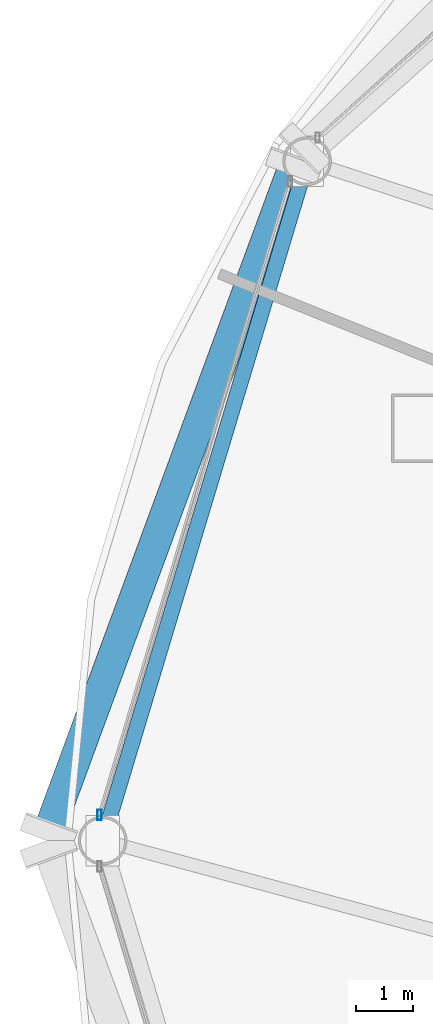
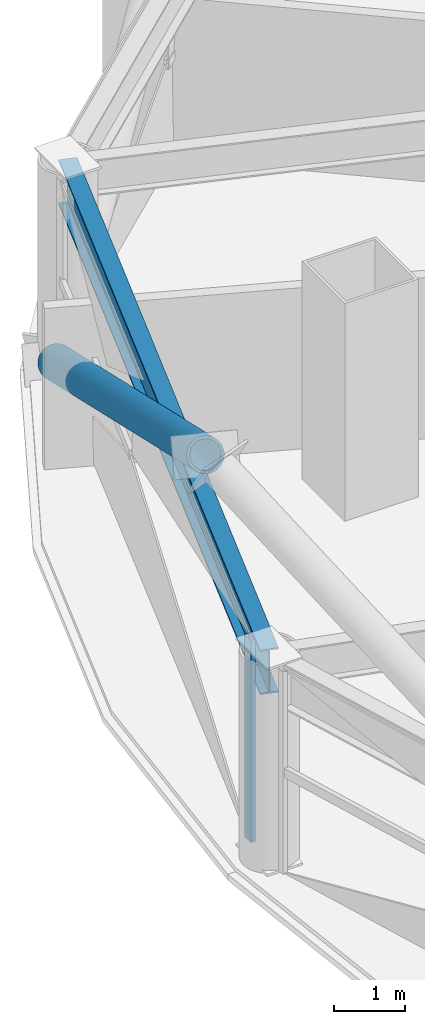
# One storey, part 8 of 30: 2 members, 1 beam, 1 element without a shape of its own.
"""IFC4 building model written with IfcOpenShell, lengths in metres."""

from ifc_helpers import new_model, si_unit, direction, frame, origin, origin_2d, place, context, subcontext, project, spatial, hollow_rectangle, hollow_circle, i_section, extrude, material, layer, layer_set, material_profile, profile_set, type_object, element, aggregate, save


model = new_model("IFC4")

# Units and contexts
model_context = context("Model", 3, precision=1e-05, world=origin(), true_north=direction((0.0, 1.0)))
body_context = subcontext(model_context, "Body", "Model", "MODEL_VIEW")
ifc_project = project(units=[si_unit("LENGTHUNIT", "METRE"), si_unit("AREAUNIT", "SQUARE_METRE"), si_unit("VOLUMEUNIT", "CUBIC_METRE"), si_unit("PLANEANGLEUNIT", "RADIAN"), si_unit("MASSUNIT", "GRAM", prefix="KILO")], contexts=[model_context])

# Site, building, storey
site_placement = place(None, origin())
site = spatial("IfcSite", under=ifc_project, at=site_placement, CompositionType="ELEMENT")
building_placement = place(site_placement, origin())
building = spatial("IfcBuilding", under=site, at=building_placement, Name="Vantalir Tower", CompositionType="ELEMENT")
storey_placement = place(building_placement, frame((0.0, 0.0, 49.5)))
storey = spatial("IfcBuildingStorey", under=building, at=storey_placement, Name="L11", CompositionType="ELEMENT", Elevation=49.5)

# Beam
ifc_material_1 = material(Name="Steel S460", Category="steel")
ifc_material_profile_1 = material_profile(ifc_material_1, i_section(OverallWidth=0.26806640625, OverallDepth=0.77001953125, WebThickness=0.015625, FlangeThickness=0.025390625, at=origin_2d()), Name="Steel S460")
ifc_profile_set_1 = profile_set([ifc_material_profile_1], Name="Steel S460")
beam_type = type_object("IfcBeamType", Name="BM-RG-762x267", PredefinedType="USERDEFINED", material=ifc_profile_set_1)
beam_placement = place(storey_placement, frame((8.429931640625, 36.863037109375, 3.18505859375), z_axis=(-0.288083666515, -0.957605242826, 0.0), x_axis=(0.957605242826, -0.288083666515, 0.0)))
element("IfcBeam", 1, at=beam_placement, inside=storey, type_object=beam_type, Name="L11 Circumferential Ring Girder 06", ObjectType="GIRDER", PredefinedType="USERDEFINED", context=body_context, shape_type="SweptSolid", body=[
    extrude(i_section(OverallWidth=0.26806640625, OverallDepth=0.77001953125, WebThickness=0.015625, FlangeThickness=0.025390625, at=origin_2d()), origin(), (0.0, 0.0, 1.0), 12.38818359375),
])

# Curtain wall, member
ifc_material_2 = material(Name="Champagne-silver PVDF aluminium and double-silver Low-E glass", Category="aluminium")
ifc_layer = layer(ifc_material_2, 0.18994140625)
ifc_layer_set = layer_set([ifc_layer], Name="Champagne-silver PVDF aluminium and double-silver Low-E glass")
curtain_wall_type = type_object("IfcCurtainWallType", Name="CW-DIAMOND-Z1", PredefinedType="USERDEFINED", material=ifc_layer_set)
curtain_wall_placement = place(storey_placement, origin())
curtain_wall = element("IfcCurtainWall", 2, at=curtain_wall_placement, inside=storey, type_object=curtain_wall_type, Name="L11 Quilted Pyramid-Diamond Curtain Wall S06", ObjectType="UNITISED CURTAIN WALL", PredefinedType="USERDEFINED")
ifc_material_3 = material(Name="Champagne-silver PVDF aluminium 6063-T6", Category="aluminium")
ifc_material_profile_2 = material_profile(ifc_material_3, hollow_rectangle(XDim=0.074951171875, YDim=0.179931640625, WallThickness=0.00390625, at=origin_2d()), Name="Champagne-silver PVDF aluminium 6063-T6")
ifc_profile_set_2 = profile_set([ifc_material_profile_2], Name="Champagne-silver PVDF aluminium 6063-T6")
member_type_1 = type_object("IfcMemberType", Name="CWM-180x75", PredefinedType="MULLION", material=ifc_profile_set_2)
member_1_placement = place(storey_placement, frame((4.805908203125, 25.449951171875, 0.044921875), z_axis=(0.0, 0.0, 1.0), x_axis=(1.0, 0.0, 0.0)))
member_1 = element("IfcMember", 3, at=member_1_placement, type_object=member_type_1, Name="CW-L11-S06 Mullion 2", PredefinedType="MULLION", context=body_context, shape_type="SweptSolid", body=[
    extrude(hollow_rectangle(XDim=0.074951171875, YDim=0.179931640625, WallThickness=0.00390625, at=origin_2d()), origin(), (0.0, 0.0, 1.0), 3.47998046875),
])
aggregate(curtain_wall, [member_1])

# Member
ifc_material_profile_3 = material_profile(ifc_material_1, hollow_circle(Radius=0.27001953125, WallThickness=0.044921875, at=origin_2d()), Name="Steel S460")
ifc_profile_set_3 = profile_set([ifc_material_profile_3], Name="Steel S460")
member_type_2 = type_object("IfcMemberType", Name="MEM-DB-540x45", PredefinedType="BRACE", material=ifc_profile_set_3)
member_2_placement = place(storey_placement, frame((8.198974609375, 36.778076171875, 0.18798828125), z_axis=(-0.301456624879, -0.818062288445, 0.489793829627), x_axis=(0.938318834505, -0.345771260827, 0.0)))
element("IfcMember", 4, at=member_2_placement, inside=storey, type_object=member_type_2, Name="L11 Perimeter S460 Diagrid Brace R16L", PredefinedType="BRACE", context=body_context, shape_type="SweptSolid", body=[
    extrude(hollow_circle(Radius=0.27001953125, WallThickness=0.044921875, at=origin_2d()), origin(), (0.0, 0.0, 1.0), 14.177490234375),
])

save(model, "model.ifc")
